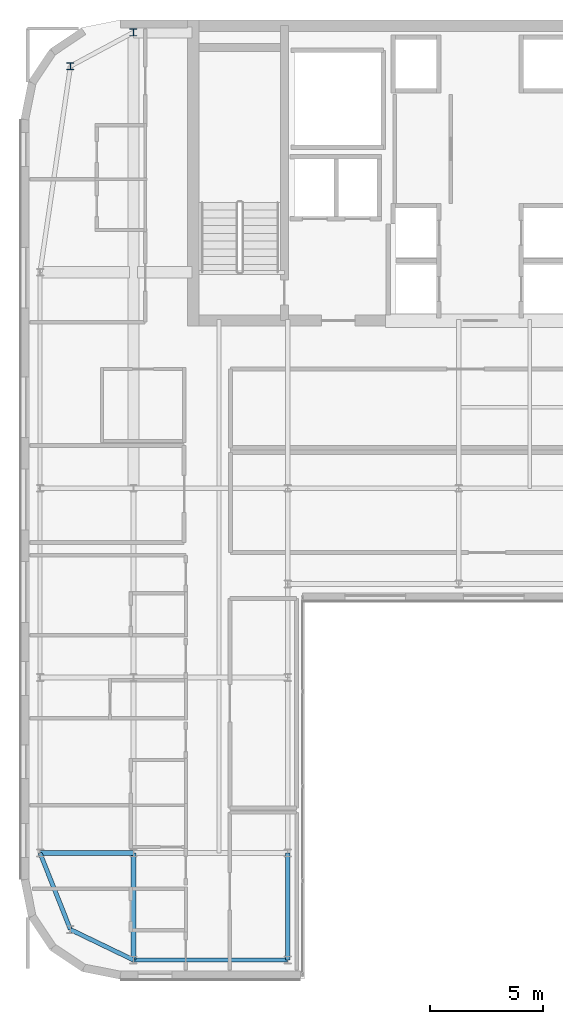
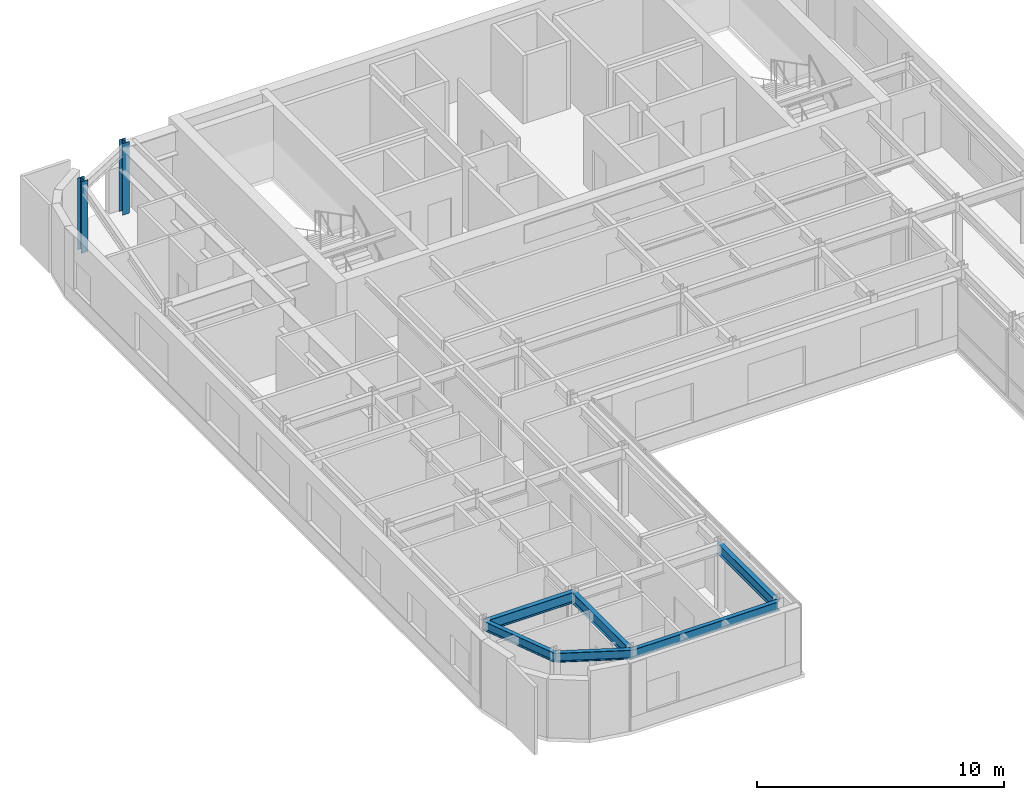
# One storey, part 3 of 21: 6 beams, 2 columns.
"""IFC4 building model written with IfcOpenShell, lengths in metres."""

from ifc_helpers import new_model, si_unit, direction, frame, origin, origin_2d, place, context, subcontext, project, spatial, i_section, extrude, source, transform, mapped, material, material_profile, profile_set, type_object, type_shapes, element, save


model = new_model("IFC4")

# Units and contexts
model_context = context("Model", 3, precision=1e-05, world=origin(), true_north=direction((0.0, 1.0)))
body_context = subcontext(model_context, "Body", "Model", "MODEL_VIEW")
ifc_project = project(units=[si_unit("LENGTHUNIT", "METRE"), si_unit("AREAUNIT", "SQUARE_METRE"), si_unit("VOLUMEUNIT", "CUBIC_METRE"), si_unit("PLANEANGLEUNIT", "RADIAN"), si_unit("MASSUNIT", "GRAM", prefix="KILO")], contexts=[model_context])

# Site, building, storey
site_placement = place(None, origin())
site = spatial("IfcSite", under=ifc_project, at=site_placement, CompositionType="ELEMENT")
building_placement = place(site_placement, origin())
building = spatial("IfcBuilding", under=site, at=building_placement, Name="Tolvann Quenvar Hotel", CompositionType="ELEMENT")
storey_placement = place(building_placement, frame((0.0, 0.0, 262.949951171875)))
storey = spatial("IfcBuildingStorey", under=building, at=storey_placement, Name="L70", CompositionType="ELEMENT", Elevation=262.949951171875)

# Columns
ifc_material = material(Name="Steel Grade 350", Category="steel")
ifc_material_profile_1 = material_profile(ifc_material, i_section(OverallWidth=0.30908203125, OverallDepth=0.321044921875, WebThickness=0.013916015625, FlangeThickness=0.021728515625, FilletRadius=0.0166015625, at=origin_2d()), Name="310UC137")
ifc_profile_set_1 = profile_set([ifc_material_profile_1], Name="Steel Grade 350")
column_type = type_object("IfcColumnType", Name="COL_310UC137", PredefinedType="COLUMN", material=ifc_profile_set_1)
shared_shape_1 = source(origin(), body_context, "Body", "SweptSolid", [
    extrude(i_section(OverallWidth=0.30908203125, OverallDepth=0.321044921875, WebThickness=0.013916015625, FlangeThickness=0.021728515625, FilletRadius=0.0166015625, at=origin_2d()), origin(), (0.0, 0.0, 1.0), 3.550048828125),
])
type_shapes(column_type, [shared_shape_1])
for number, where, z_axis, x_axis, name in (
    (1, (4.800048828125, 43.14990234375, 0.0), (0.0, 0.0, 1.0), (1.0, 0.0, 0.0), "Column BN (L70)"),
    (2, (7.60009765625, 44.64990234375, 0.0), (0.0, 0.0, 1.0), (1.0, 0.0, 0.0), "Column CN (L70)"),
):
    element("IfcColumn", number, at=place(storey_placement, frame(where, z_axis=z_axis, x_axis=x_axis)), inside=storey, type_object=column_type, Name=name, PredefinedType="COLUMN", context=body_context, shape_type="MappedRepresentation", body=[
        mapped(shared_shape_1, transform((0.0, 0.0, 0.0), x_axis=(1.0, 0.0, 0.0), y_axis=(0.0, 1.0, 0.0), z_axis=(0.0, 0.0, 1.0), scale=1.0)),
    ])

# Beams
ifc_material_profile_2 = material_profile(ifc_material, i_section(OverallWidth=0.208984375, OverallDepth=0.532958984375, WebThickness=0.01025390625, FlangeThickness=0.015625, FilletRadius=0.013916015625, at=origin_2d()), Name="530UB92")
ifc_profile_set_2 = profile_set([ifc_material_profile_2], Name="Steel Grade 350")
beam_type_1 = type_object("IfcBeamType", Name="BM_GIRD_530UB92", PredefinedType="BEAM", material=ifc_profile_set_2)
shared_shape_2 = source(origin(), body_context, "Body", "SweptSolid", [
    extrude(i_section(OverallWidth=0.208984375, OverallDepth=0.532958984375, WebThickness=0.01025390625, FlangeThickness=0.015625, FilletRadius=0.013916015625, at=origin_2d()), origin(), (0.0, 0.0, 1.0), 4.75),
])
for number, where, z_axis, x_axis, name in (
    (3, (7.60009765625, 3.449951171875, 3.103515625), (0.0, 1.0, 0.0), (-1.0, 0.0, 0.0), "BM-L70-NS-C2-C3"),
    (4, (14.449951171875, 3.449951171875, 3.103515625), (0.0, 1.0, 0.0), (-1.0, 0.0, 0.0), "BM-L70-NS-D2-D3"),
):
    element("IfcBeam", number, at=place(storey_placement, frame(where, z_axis=z_axis, x_axis=x_axis)), inside=storey, type_object=beam_type_1, Name=name, PredefinedType="BEAM", context=body_context, shape_type="MappedRepresentation", body=[
        mapped(shared_shape_2, transform((0.0, 0.0, 0.0), x_axis=(1.0, 0.0, 0.0), y_axis=(0.0, 1.0, 0.0), z_axis=(0.0, 0.0, 1.0), scale=1.0)),
    ])
ifc_material_profile_3 = material_profile(ifc_material, i_section(OverallWidth=0.19091796875, OverallDepth=0.4599609375, WebThickness=0.010009765625, FlangeThickness=0.01611328125, FilletRadius=0.011474609375, at=origin_2d()), Name="460UB82")
ifc_profile_set_3 = profile_set([ifc_material_profile_3], Name="Steel Grade 350")
beam_type_2 = type_object("IfcBeamType", Name="BM_SPAND_460UB82", PredefinedType="SPANDREL", material=ifc_profile_set_3)
shared_shape_3 = source(origin(), body_context, "Body", "SweptSolid", [
    extrude(i_section(OverallWidth=0.19091796875, OverallDepth=0.4599609375, WebThickness=0.010009765625, FlangeThickness=0.01611328125, FilletRadius=0.011474609375, at=origin_2d()), origin(), (0.0, 0.0, 1.0), 3.108642578125),
])
beam_1_placement = place(storey_placement, frame((4.800048828125, 4.800048828125, 3.14013671875), z_axis=(0.900759354066, -0.434318530646, 0.0), x_axis=(0.434318530646, 0.900759354066, 0.0)))
element("IfcBeam", 5, at=beam_1_placement, inside=storey, type_object=beam_type_2, Name="BM-L70-EW-2-B2-C2", PredefinedType="SPANDREL", context=body_context, shape_type="MappedRepresentation", body=[
    mapped(shared_shape_3, transform((0.0, 0.0, 0.0), x_axis=(1.0, 0.0, 0.0), y_axis=(0.0, 1.0, 0.0), z_axis=(0.0, 0.0, 1.0), scale=1.0)),
])
shared_shape_4 = source(origin(), body_context, "Body", "SweptSolid", [
    extrude(i_section(OverallWidth=0.19091796875, OverallDepth=0.4599609375, WebThickness=0.010009765625, FlangeThickness=0.01611328125, FilletRadius=0.011474609375, at=origin_2d()), origin(), (0.0, 0.0, 1.0), 3.658203125),
])
beam_2_placement = place(storey_placement, frame((4.800048828125, 4.800048828125, 3.14013671875), z_axis=(-0.369065163807, 0.929403521009, 0.0), x_axis=(-0.929403521009, -0.369065163807, 0.0)))
element("IfcBeam", 6, at=beam_2_placement, inside=storey, type_object=beam_type_2, Name="BM-L70-NS-B2-B3", PredefinedType="SPANDREL", context=body_context, shape_type="MappedRepresentation", body=[
    mapped(shared_shape_4, transform((0.0, 0.0, 0.0), x_axis=(1.0, 0.0, 0.0), y_axis=(0.0, 1.0, 0.0), z_axis=(0.0, 0.0, 1.0), scale=1.0)),
])
shared_shape_5 = source(origin(), body_context, "Body", "SweptSolid", [
    extrude(i_section(OverallWidth=0.19091796875, OverallDepth=0.4599609375, WebThickness=0.010009765625, FlangeThickness=0.01611328125, FilletRadius=0.011474609375, at=origin_2d()), origin(), (0.0, 0.0, 1.0), 6.849853515625),
])
type_shapes(beam_type_2, [shared_shape_3, shared_shape_4, shared_shape_5])
beam_3_placement = place(storey_placement, frame((7.60009765625, 3.449951171875, 3.14013671875), z_axis=(1.0, 0.0, 0.0), x_axis=(0.0, 1.0, 0.0)))
element("IfcBeam", 7, at=beam_3_placement, inside=storey, type_object=beam_type_2, Name="BM-L70-EW-2-C2-D2", PredefinedType="SPANDREL", context=body_context, shape_type="MappedRepresentation", body=[
    mapped(shared_shape_5, transform((0.0, 0.0, 0.0), x_axis=(1.0, 0.0, 0.0), y_axis=(0.0, 1.0, 0.0), z_axis=(0.0, 0.0, 1.0), scale=1.0)),
])
shared_shape_6 = source(origin(), body_context, "Body", "SweptSolid", [
    extrude(i_section(OverallWidth=0.208984375, OverallDepth=0.532958984375, WebThickness=0.01025390625, FlangeThickness=0.015625, FilletRadius=0.013916015625, at=origin_2d()), origin(), (0.0, 0.0, 1.0), 4.150146484375),
])
type_shapes(beam_type_1, [shared_shape_2, shared_shape_6])
beam_4_placement = place(storey_placement, frame((3.449951171875, 8.199951171875, 3.103515625), z_axis=(1.0, 0.0, 0.0), x_axis=(0.0, 1.0, 0.0)))
element("IfcBeam", 8, at=beam_4_placement, inside=storey, type_object=beam_type_1, Name="BM-L70-EW-3-B3-C3", PredefinedType="BEAM", context=body_context, shape_type="MappedRepresentation", body=[
    mapped(shared_shape_6, transform((0.0, 0.0, 0.0), x_axis=(1.0, 0.0, 0.0), y_axis=(0.0, 1.0, 0.0), z_axis=(0.0, 0.0, 1.0), scale=1.0)),
])

save(model, "model.ifc")
